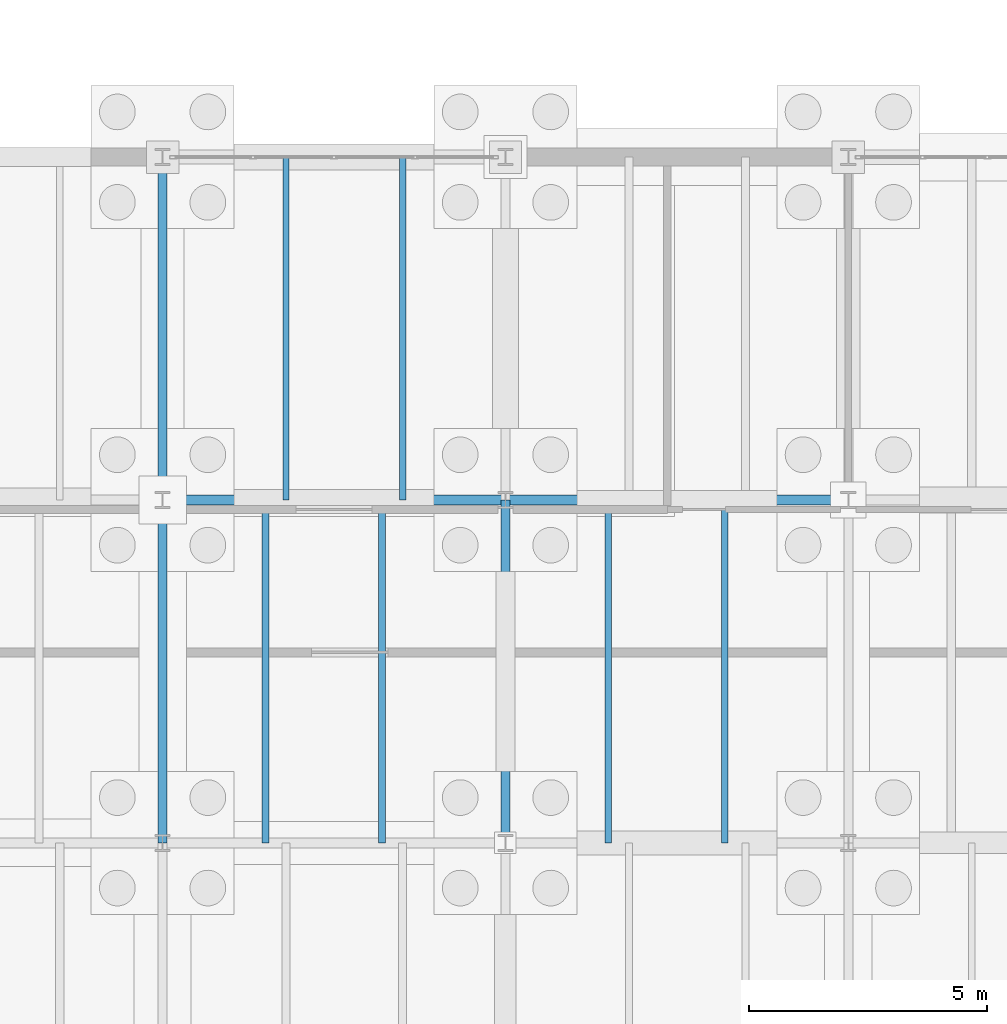
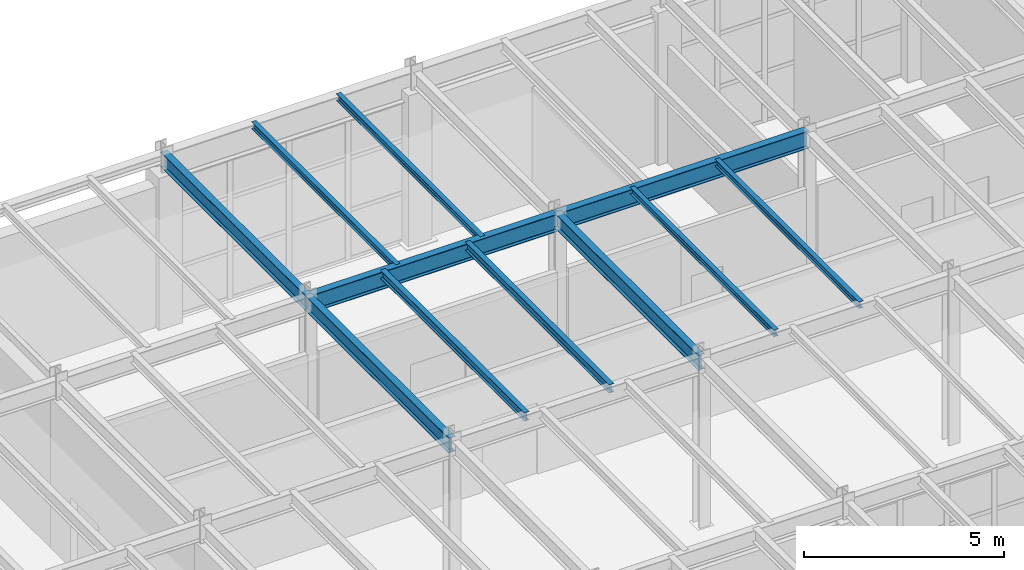
# One storey, part 77 of 293: 11 beams.
"""IFC4 building model written with IfcOpenShell, lengths in metres."""

import ifcopenshell
import ifcopenshell.guid

model = None  # the IFC model being written
_history = None  # IfcOwnerHistory: only IFC2X3 demands one
_inside = {}  # id of a spatial element -> (the spatial element, [elements in it])
_under = {}  # id of a project, library or spatial element -> (it, [spatial elements below it])
_declared = {}  # id of a project -> (the project, [libraries it declares])
_typed = {}  # id of a type object -> (the type object, [elements of that type])
_made_of = {}  # id of a material, layer set ... -> (it, [elements and type objects made of it])


def new_model(schema):
    """Start an empty IFC model of exactly this schema.

    Asked for "IFC4X3", IfcOpenShell would pick the latest addendum, in which some entities
    have other attributes; the version numbers below select the first issue.
    IFC2X3 requires an IfcOwnerHistory on every rooted entity: one is made here for all.
    """
    global model, _history
    if schema == "IFC4X3":
        model = ifcopenshell.file(schema_version=(4, 3, 0, 0))
    else:
        model = ifcopenshell.file(schema=schema)
    _inside.clear()
    _under.clear()
    _declared.clear()
    _typed.clear()
    _made_of.clear()
    _history = None
    if model.schema == "IFC2X3":
        org = make("IfcOrganization", Name="unknown")
        user = make(
            "IfcPersonAndOrganization",
            ThePerson=make("IfcPerson", FamilyName="unknown"),
            TheOrganization=org,
        )
        app = make(
            "IfcApplication",
            ApplicationDeveloper=org,
            Version="unknown",
            ApplicationFullName="unknown",
            ApplicationIdentifier="unknown",
        )
        _history = make(
            "IfcOwnerHistory",
            OwningUser=user,
            OwningApplication=app,
            ChangeAction="ADDED",
            CreationDate=0,
        )
    return model


def make(cls, **values):
    """One entity of the class cls with the attributes given. An attribute that is None is left unset."""
    return model.create_entity(
        cls, **{name: value for name, value in values.items() if value is not None}
    )


def rooted(cls, **values):
    """An entity with a GlobalId (a new one), such as an element, a storey or a relation."""
    return make(cls, GlobalId=ifcopenshell.guid.new(), OwnerHistory=_history, **values)


def si_unit(unit_type, name, prefix=None):
    """IfcSIUnit, for example si_unit("LENGTHUNIT", "METRE", prefix="MILLI")."""
    return make("IfcSIUnit", UnitType=unit_type, Prefix=prefix, Name=name)


def assignment(units):
    """IfcUnitAssignment: the units of a project."""
    return None if units is None else make("IfcUnitAssignment", Units=units)


def point(xyz):
    """IfcCartesianPoint."""
    return None if xyz is None else make("IfcCartesianPoint", Coordinates=xyz)


def direction(xyz):
    """IfcDirection."""
    return None if xyz is None else make("IfcDirection", DirectionRatios=xyz)


def frame(location, z_axis=None, x_axis=None):
    """IfcAxis2Placement3D, a coordinate frame: its origin and axes. An axis left out is left unset."""
    return make(
        "IfcAxis2Placement3D",
        Location=point(location),
        Axis=direction(z_axis),
        RefDirection=direction(x_axis),
    )


def frame_2d(location, x_axis=None):
    """IfcAxis2Placement2D, a coordinate frame in the plane: its origin and x axis."""
    return make(
        "IfcAxis2Placement2D", Location=point(location), RefDirection=direction(x_axis)
    )


def origin():
    """The frame at (0, 0, 0) with its axes left unset."""
    return frame((0.0, 0.0, 0.0))


def origin_2d():
    """The frame at (0, 0) in the plane with its x axis left unset."""
    return frame_2d((0.0, 0.0))


def place(relative_to, where):
    """IfcLocalPlacement: puts the frame where relative to a parent placement (None: the world)."""
    return make(
        "IfcLocalPlacement", PlacementRelTo=relative_to, RelativePlacement=where
    )


def context(
    kind, dimensions, precision=None, world=None, true_north=None, identifier=None
):
    """IfcGeometricRepresentationContext, for example the 3D "Model" context."""
    return make(
        "IfcGeometricRepresentationContext",
        ContextIdentifier=identifier,
        ContextType=kind,
        CoordinateSpaceDimension=dimensions,
        Precision=precision,
        WorldCoordinateSystem=world,
        TrueNorth=true_north,
    )


def subcontext(parent, identifier, kind, view, scale=None):
    """IfcGeometricRepresentationSubContext, for example "Body" below "Model"."""
    return make(
        "IfcGeometricRepresentationSubContext",
        ContextIdentifier=identifier,
        ContextType=kind,
        ParentContext=parent,
        TargetScale=scale,
        TargetView=view,
    )


def project(units=None, contexts=None):
    """IfcProject with its units and contexts."""
    return rooted(
        "IfcProject",
        Name="project",
        RepresentationContexts=contexts,
        UnitsInContext=assignment(units),
    )


def spatial(cls, under=None, at=None, **own):
    """A site, building, storey or space (cls), placed at a placement, below another one or the project."""
    s = rooted(cls, ObjectPlacement=at, **own)
    if under is not None:
        _under.setdefault(under.id(), (under, []))[1].append(s)
    return s


def profile(cls, at=None, kind="AREA", **sizes):
    """A parametric profile (cls). Its sizes go by their IFC names, for example OverallWidth=200.0."""
    return make(cls, ProfileType=kind, Position=at, **sizes)


def i_section(**sizes):
    """IfcIShapeProfileDef."""
    return profile("IfcIShapeProfileDef", **sizes)


def extrude(swept, where, along, depth):
    """IfcExtrudedAreaSolid: the profile swept, set in the frame where, extruded along a direction by depth."""
    return make(
        "IfcExtrudedAreaSolid",
        SweptArea=swept,
        Position=where,
        ExtrudedDirection=direction(along),
        Depth=depth,
    )


def shape(context_of_items, identifier, shape_type, items):
    """IfcShapeRepresentation: the items that make up one representation, for example the "Body"."""
    return make(
        "IfcShapeRepresentation",
        ContextOfItems=context_of_items,
        RepresentationIdentifier=identifier,
        RepresentationType=shape_type,
        Items=items,
    )


def material(Name=None, Category=None):
    """IfcMaterial."""
    return make("IfcMaterial", Name=Name, Category=Category)


def material_profile(
    of_material, cross_section, Name=None, Category=None, Priority=None
):
    """IfcMaterialProfile: a cross section and its material."""
    return make(
        "IfcMaterialProfile",
        Name=Name,
        Material=of_material,
        Profile=cross_section,
        Priority=Priority,
        Category=Category,
    )


def profile_set(profiles, Name=None, composite=None):
    """IfcMaterialProfileSet."""
    return make(
        "IfcMaterialProfileSet",
        Name=Name,
        MaterialProfiles=profiles,
        CompositeProfile=composite,
    )


def made_of(thing, what):
    """Note that an element or type object is made of a material, layer set ...; save() writes the relation."""
    if what is not None:
        _made_of.setdefault(what.id(), (what, []))[1].append(thing)
    return thing


def type_object(cls, material=None, **own):
    """A type object (cls), such as IfcWallType, which elements share."""
    return made_of(rooted(cls, **own), material)


def element(
    cls,
    number,
    at=None,
    inside=None,
    cuts=None,
    type_object=None,
    material=None,
    context=None,
    identifier="Body",
    shape_type=None,
    held_by="IfcProductDefinitionShape",
    body=None,
    shapes=None,
    **own,
):
    """One element of the class cls, such as IfcWall. Its Tag is "e" and its number.

    at: its placement. inside: the storey or other place that contains it. cuts: it is an
    opening in that element (IfcRelVoidsElement). A single representation is given by context,
    identifier, shape_type and body (its items); several are given by shapes. held_by: the class
    of the entity that holds the representations. save() writes the other relations.
    """
    e = rooted(cls, Tag="e%d" % number, ObjectPlacement=at, **own)
    if body is not None:
        shapes = [shape(context, identifier, shape_type, body)]
    if shapes is not None:
        e.Representation = make(held_by, Representations=shapes)
    if inside is not None:
        _inside.setdefault(inside.id(), (inside, []))[1].append(e)
    if cuts is not None:
        rooted(
            "IfcRelVoidsElement", RelatingBuildingElement=cuts, RelatedOpeningElement=e
        )
    if type_object is not None:
        _typed.setdefault(type_object.id(), (type_object, []))[1].append(e)
    return made_of(e, material)


def aggregate(whole, parts):
    """IfcRelAggregates: a whole, such as a stair, and the parts it consists of."""
    return rooted("IfcRelAggregates", RelatingObject=whole, RelatedObjects=parts)


def save(model, path):
    """Write the relations noted so far, then the file.

    IfcRelAggregates (storeys below a building ...), IfcRelContainedInSpatialStructure (elements
    in a storey), IfcRelDefinesByType, IfcRelAssociatesMaterial and IfcRelDeclares: one each for
    every whole, place, type object, material and project.
    """
    for whole, parts in _under.values():
        aggregate(whole, parts)
    for where, things in _inside.values():
        rooted(
            "IfcRelContainedInSpatialStructure",
            RelatedElements=things,
            RelatingStructure=where,
        )
    for kind, things in _typed.values():
        rooted("IfcRelDefinesByType", RelatedObjects=things, RelatingType=kind)
    for what, things in _made_of.values():
        rooted("IfcRelAssociatesMaterial", RelatedObjects=things, RelatingMaterial=what)
    for by, libraries in _declared.values():
        rooted("IfcRelDeclares", RelatingContext=by, RelatedDefinitions=libraries)
    model.write(path)


model = new_model("IFC4")

# Units and contexts
model_context = context("Model", 3, precision=1e-05, world=origin(), true_north=direction((0.0, 1.0)))
body_context = subcontext(model_context, "Body", "Model", "MODEL_VIEW")
ifc_project = project(units=[si_unit("LENGTHUNIT", "METRE"), si_unit("AREAUNIT", "SQUARE_METRE"), si_unit("VOLUMEUNIT", "CUBIC_METRE"), si_unit("PLANEANGLEUNIT", "RADIAN"), si_unit("MASSUNIT", "GRAM", prefix="KILO")], contexts=[model_context])

# Site, building, storey
site_placement = place(None, origin())
site = spatial("IfcSite", under=ifc_project, at=site_placement, CompositionType="ELEMENT")
building_placement = place(site_placement, origin())
building = spatial("IfcBuilding", under=site, at=building_placement, Name="Kemerveld Promenade Tramway Depot", CompositionType="ELEMENT")
storey_placement = place(building_placement, origin())
storey = spatial("IfcBuildingStorey", under=building, at=storey_placement, Name="L00", CompositionType="ELEMENT", Elevation=0.0)

# Beams
ifc_material = material(Name="Steel S355", Category="steel")
ifc_material_profile_1 = material_profile(ifc_material, i_section(OverallWidth=0.2099609375, OverallDepth=0.53662109375, WebThickness=0.0107421875, FlangeThickness=0.017333984375, FilletRadius=0.0126953125, at=origin_2d()), Name="533x210x101 UB")
ifc_profile_set_1 = profile_set([ifc_material_profile_1], Name="Steel S355")
beam_type_1 = type_object("IfcBeamType", Name="BM-G05", PredefinedType="BEAM", material=ifc_profile_set_1)
for number, where, z_axis, x_axis, name in (
    (1, (64.800048828125, 21.60009765625, 4.906494140625), (1.0, 0.0, 0.0), (0.0, 1.0, 0.0), "BMX-L00-10-11-D"),
    (2, (72.0, 21.60009765625, 4.906494140625), (1.0, 0.0, 0.0), (0.0, 1.0, 0.0), "BMX-L00-11-12-D"),
):
    element("IfcBeam", number, at=place(storey_placement, frame(where, z_axis=z_axis, x_axis=x_axis)), inside=storey, type_object=beam_type_1, Name=name, PredefinedType="BEAM", context=body_context, shape_type="SweptSolid", body=[
        extrude(i_section(OverallWidth=0.2099609375, OverallDepth=0.53662109375, WebThickness=0.0107421875, FlangeThickness=0.017333984375, FilletRadius=0.0126953125, at=origin_2d()), origin(), (0.0, 0.0, 1.0), 7.199951171875),
    ])
ifc_material_profile_2 = material_profile(ifc_material, i_section(OverallWidth=0.19140625, OverallDepth=0.4599609375, WebThickness=0.010009765625, FlangeThickness=0.01611328125, FilletRadius=0.01025390625, at=origin_2d()), Name="457x191x82 UB")
ifc_profile_set_2 = profile_set([ifc_material_profile_2], Name="Steel S355")
beam_type_2 = type_object("IfcBeamType", Name="BM-G06", PredefinedType="BEAM", material=ifc_profile_set_2)
beam_1_placement = place(storey_placement, frame((64.800048828125, 14.39990234375, 4.945068359375), z_axis=(0.0, 1.0, 0.0), x_axis=(-1.0, 0.0, 0.0)))
element("IfcBeam", 3, at=beam_1_placement, inside=storey, type_object=beam_type_2, Name="BMY-L00-10-C-D", PredefinedType="BEAM", context=body_context, shape_type="SweptSolid", body=[
    extrude(i_section(OverallWidth=0.19140625, OverallDepth=0.4599609375, WebThickness=0.010009765625, FlangeThickness=0.01611328125, FilletRadius=0.01025390625, at=origin_2d()), origin(), (0.0, 0.0, 1.0), 7.2001953125),
])
beam_2_placement = place(storey_placement, frame((64.800048828125, 21.60009765625, 4.945068359375), z_axis=(0.0, 1.0, 0.0), x_axis=(-1.0, 0.0, 0.0)))
element("IfcBeam", 4, at=beam_2_placement, inside=storey, type_object=beam_type_2, Name="BMY-L00-10-D-E", PredefinedType="BEAM", context=body_context, shape_type="SweptSolid", body=[
    extrude(i_section(OverallWidth=0.19140625, OverallDepth=0.4599609375, WebThickness=0.010009765625, FlangeThickness=0.01611328125, FilletRadius=0.01025390625, at=origin_2d()), origin(), (0.0, 0.0, 1.0), 7.199951171875),
])
beam_3_placement = place(storey_placement, frame((72.0, 14.39990234375, 4.945068359375), z_axis=(0.0, 1.0, 0.0), x_axis=(-1.0, 0.0, 0.0)))
element("IfcBeam", 5, at=beam_3_placement, inside=storey, type_object=beam_type_2, Name="BMY-L00-11-C-D", PredefinedType="BEAM", context=body_context, shape_type="SweptSolid", body=[
    extrude(i_section(OverallWidth=0.19140625, OverallDepth=0.4599609375, WebThickness=0.010009765625, FlangeThickness=0.01611328125, FilletRadius=0.01025390625, at=origin_2d()), origin(), (0.0, 0.0, 1.0), 7.2001953125),
])
ifc_material_profile_3 = material_profile(ifc_material, i_section(OverallWidth=0.146484375, OverallDepth=0.256103515625, WebThickness=0.00634765625, FlangeThickness=0.010986328125, FilletRadius=0.007568359375, at=origin_2d()), Name="254x146x37 UB")
ifc_profile_set_3 = profile_set([ifc_material_profile_3], Name="Steel S355")
beam_type_3 = type_object("IfcBeamType", Name="BM-J02", PredefinedType="JOIST", material=ifc_profile_set_3)
for number, where, z_axis, x_axis, name in (
    (6, (66.9599609375, 14.39990234375, 5.047119140625), (0.0, 1.0, 0.0), (-1.0, 0.0, 0.0), "JST-L00-10-C-1"),
    (7, (69.407958984375, 14.39990234375, 5.047119140625), (0.0, 1.0, 0.0), (-1.0, 0.0, 0.0), "JST-L00-10-C-2"),
):
    element("IfcBeam", number, at=place(storey_placement, frame(where, z_axis=z_axis, x_axis=x_axis)), inside=storey, type_object=beam_type_3, Name=name, PredefinedType="JOIST", context=body_context, shape_type="SweptSolid", body=[
        extrude(i_section(OverallWidth=0.146484375, OverallDepth=0.256103515625, WebThickness=0.00634765625, FlangeThickness=0.010986328125, FilletRadius=0.007568359375, at=origin_2d()), origin(), (0.0, 0.0, 1.0), 7.2001953125),
    ])
ifc_material_profile_4 = material_profile(ifc_material, i_section(OverallWidth=0.13330078125, OverallDepth=0.203125, WebThickness=0.005615234375, FlangeThickness=0.0078125, FilletRadius=0.007568359375, at=origin_2d()), Name="203x133x25 UB")
ifc_profile_set_4 = profile_set([ifc_material_profile_4], Name="Steel S355")
beam_type_4 = type_object("IfcBeamType", Name="BM-J03", PredefinedType="JOIST", material=ifc_profile_set_4)
for number, where, z_axis, x_axis, name in (
    (8, (67.39208984375, 21.60009765625, 5.073486328125), (0.0, 1.0, 0.0), (-1.0, 0.0, 0.0), "JST-L00-10-D-1"),
    (9, (69.840087890625, 21.60009765625, 5.073486328125), (0.0, 1.0, 0.0), (-1.0, 0.0, 0.0), "JST-L00-10-D-2"),
):
    element("IfcBeam", number, at=place(storey_placement, frame(where, z_axis=z_axis, x_axis=x_axis)), inside=storey, type_object=beam_type_4, Name=name, PredefinedType="JOIST", context=body_context, shape_type="SweptSolid", body=[
        extrude(i_section(OverallWidth=0.13330078125, OverallDepth=0.203125, WebThickness=0.005615234375, FlangeThickness=0.0078125, FilletRadius=0.007568359375, at=origin_2d()), origin(), (0.0, 0.0, 1.0), 7.199951171875),
    ])
for number, where, z_axis, x_axis, name in (
    (10, (74.159912109375, 14.39990234375, 5.073486328125), (0.0, 1.0, 0.0), (-1.0, 0.0, 0.0), "JST-L00-11-C-1"),
    (11, (76.60791015625, 14.39990234375, 5.073486328125), (0.0, 1.0, 0.0), (-1.0, 0.0, 0.0), "JST-L00-11-C-2"),
):
    element("IfcBeam", number, at=place(storey_placement, frame(where, z_axis=z_axis, x_axis=x_axis)), inside=storey, type_object=beam_type_4, Name=name, PredefinedType="JOIST", context=body_context, shape_type="SweptSolid", body=[
        extrude(i_section(OverallWidth=0.13330078125, OverallDepth=0.203125, WebThickness=0.005615234375, FlangeThickness=0.0078125, FilletRadius=0.007568359375, at=origin_2d()), origin(), (0.0, 0.0, 1.0), 7.2001953125),
    ])

save(model, "model.ifc")
